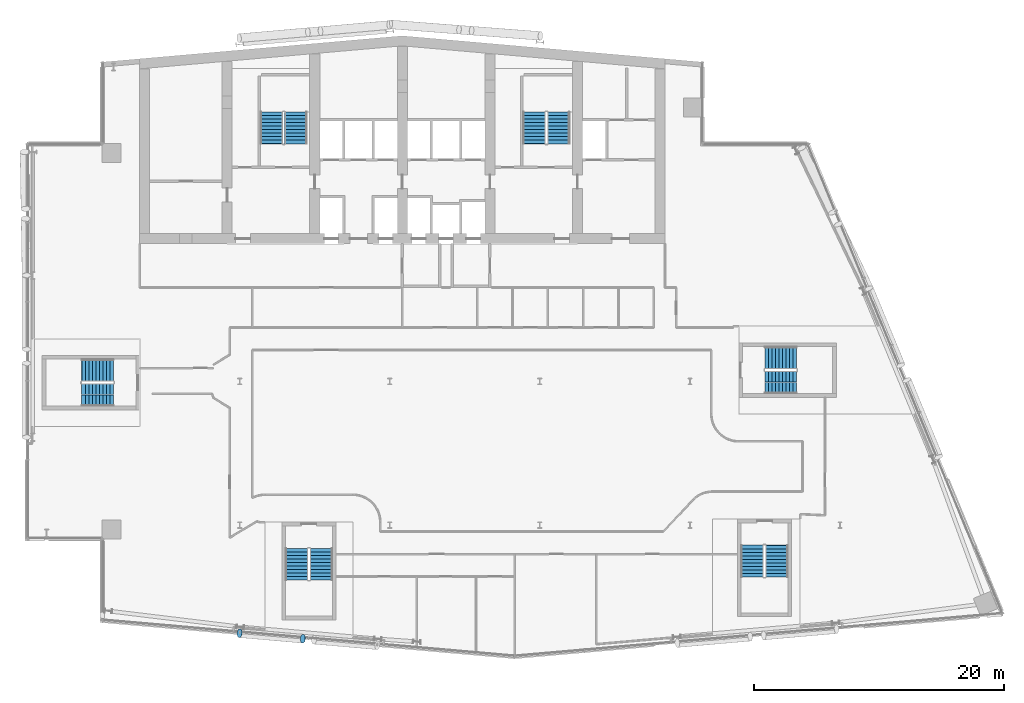
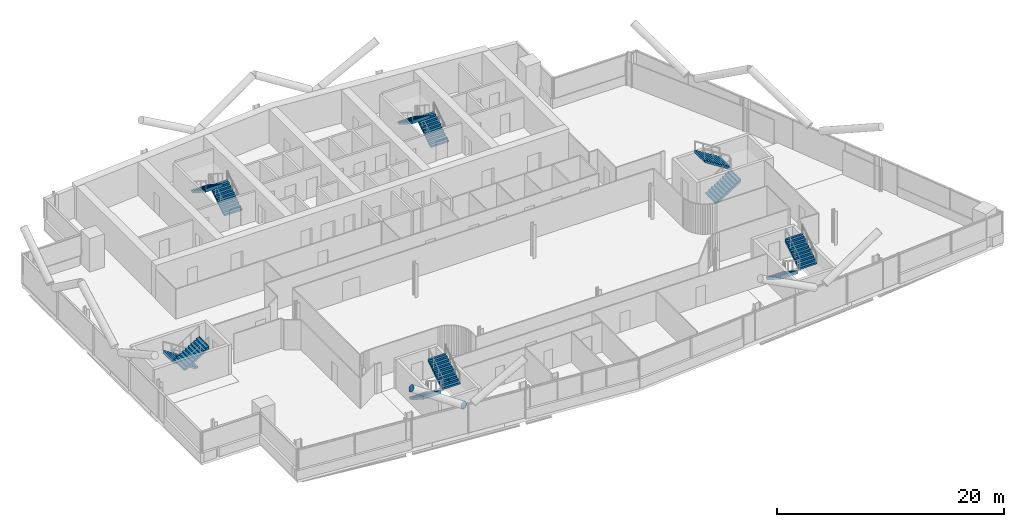
# One storey, part 20 of 27: 12 stair flights, 2 discrete accessories, 6 elements without a shape of their own.
"""IFC4 building model written with IfcOpenShell, lengths in metres."""

from ifc_helpers import new_model, si_unit, direction, frame, origin, origin_2d, place, context, subcontext, project, spatial, polyline, circle, outline, extrude, material, material_profile, profile_set, type_object, element, aggregate, save


model = new_model("IFC4")

# Units and contexts
model_context = context("Model", 3, precision=1e-05, world=origin(), true_north=direction((0.0, 1.0)))
body_context = subcontext(model_context, "Body", "Model", "MODEL_VIEW")
ifc_project = project(units=[si_unit("LENGTHUNIT", "METRE"), si_unit("AREAUNIT", "SQUARE_METRE"), si_unit("VOLUMEUNIT", "CUBIC_METRE"), si_unit("PLANEANGLEUNIT", "RADIAN"), si_unit("MASSUNIT", "GRAM", prefix="KILO")], contexts=[model_context])

# Site, building, storey
site_placement = place(None, origin())
site = spatial("IfcSite", under=ifc_project, at=site_placement, CompositionType="ELEMENT")
building_placement = place(site_placement, origin())
building = spatial("IfcBuilding", under=site, at=building_placement, Name="Wharfspan Tower", CompositionType="ELEMENT")
storey_placement = place(building_placement, frame((0.0, 0.0, 159.100098)))
storey = spatial("IfcBuildingStorey", under=building, at=storey_placement, Name="L38", CompositionType="ELEMENT", Elevation=159.100098)

# Stair, stair flights
ifc_material_1 = material(Name="Concrete C40/50", Category="concrete")
stair_type = type_object("IfcStairType", Name="Half-turn stair 20 risers 180 mm", PredefinedType="HALF_TURN_STAIR", material=ifc_material_1)
stair_1_placement = place(storey_placement, origin())
stair_1 = element("IfcStair", 1, at=stair_1_placement, inside=storey, type_object=stair_type, Name="L38 stair ST1", PredefinedType="HALF_TURN_STAIR")
stair_flight_type = type_object("IfcStairFlightType", Name="Stair flight 20 risers 180 mm", PredefinedType="STRAIGHT", material=ifc_material_1)
stair_flight_1_placement = place(storey_placement, frame((28.5, 42.0, 0.0), z_axis=(0.0, 0.0, 1.0), x_axis=(0.0, 1.0, 0.0)))
stair_flight_1 = element("IfcStairFlight", 2, at=stair_flight_1_placement, type_object=stair_flight_type, Name="ST1 flight 1", NumberOfRisers=10, NumberOfTreads=9, PredefinedType="STRAIGHT", RiserHeight=0.18, TreadLength=0.28, context=body_context, shape_type="SweptSolid", body=[
    extrude(outline(polyline([(-0.011963, 0.0), (-0.011963, 0.179932), (0.0, 0.179932), (0.280029, 0.179932), (0.280029, 0.360107), (0.560059, 0.360107), (0.560059, 0.540039), (0.840088, 0.540039), (0.840088, 0.719971), (1.120117, 0.719971), (1.120117, 0.899902), (1.399902, 0.899902), (1.399902, 1.080078), (1.679932, 1.080078), (1.679932, 1.26001), (1.959961, 1.26001), (1.959961, 1.439941), (2.23999, 1.439941), (2.23999, 1.620117), (2.52002, 1.620117), (2.531982, 1.800049), (2.531982, 1.441895), (0.2771, 0.0), (-0.011963, 0.0)])), frame((0.0, 0.899902, 0.0), z_axis=(0.0, -1.0, 0.0), x_axis=(1.0, 0.0, 0.0)), (0.0, 0.0, 1.0), 0.899414),
    extrude(outline(polyline([(-0.011963, 0.0), (-0.011963, 0.179932), (0.0, 0.179932), (0.280029, 0.179932), (0.280029, 0.360107), (0.560059, 0.360107), (0.560059, 0.540039), (0.840088, 0.540039), (0.840088, 0.719971), (1.120117, 0.719971), (1.120117, 0.899902), (1.399902, 0.899902), (1.399902, 1.080078), (1.679932, 1.080078), (1.679932, 1.26001), (1.959961, 1.26001), (1.959961, 1.439941), (2.23999, 1.439941), (2.23999, 1.620117), (2.52002, 1.620117), (2.531982, 1.800049), (2.531982, 1.441895), (0.2771, 0.0), (-0.011963, 0.0)])), frame((0.0, -0.000488, 0.0), z_axis=(0.0, -1.0, 0.0), x_axis=(1.0, 0.0, 0.0)), (0.0, 0.0, 1.0), 0.899414),
])
stair_flight_2_placement = place(storey_placement, frame((26.550049, 44.52002, 1.799805), z_axis=(0.0, 0.0, 1.0), x_axis=(0.0, -1.0, 0.0)))
stair_flight_2 = element("IfcStairFlight", 3, at=stair_flight_2_placement, type_object=stair_flight_type, Name="ST1 flight 2", NumberOfRisers=10, NumberOfTreads=9, PredefinedType="STRAIGHT", RiserHeight=0.18, TreadLength=0.28, context=body_context, shape_type="SweptSolid", body=[
    extrude(outline(polyline([(-0.011963, 0.0), (-0.011963, 0.179932), (0.0, 0.179932), (0.280029, 0.179932), (0.280029, 0.360107), (0.560059, 0.360107), (0.560059, 0.540039), (0.840088, 0.540039), (0.840088, 0.719971), (1.120117, 0.719971), (1.120117, 0.899902), (1.399902, 0.899902), (1.399902, 1.080078), (1.679932, 1.080078), (1.679932, 1.26001), (1.959961, 1.26001), (1.959961, 1.439941), (2.23999, 1.439941), (2.23999, 1.620117), (2.52002, 1.620117), (2.531982, 1.800049), (2.531982, 1.441895), (0.2771, 0.0), (-0.011963, 0.0)])), frame((0.0, 0.899902, 0.0), z_axis=(0.0, -1.0, 0.0), x_axis=(1.0, 0.0, 0.0)), (0.0, 0.0, 1.0), 0.899414),
    extrude(outline(polyline([(-0.011963, 0.0), (-0.011963, 0.179932), (0.0, 0.179932), (0.280029, 0.179932), (0.280029, 0.360107), (0.560059, 0.360107), (0.560059, 0.540039), (0.840088, 0.540039), (0.840088, 0.719971), (1.120117, 0.719971), (1.120117, 0.899902), (1.399902, 0.899902), (1.399902, 1.080078), (1.679932, 1.080078), (1.679932, 1.26001), (1.959961, 1.26001), (1.959961, 1.439941), (2.23999, 1.439941), (2.23999, 1.620117), (2.52002, 1.620117), (2.531982, 1.800049), (2.531982, 1.441895), (0.2771, 0.0), (-0.011963, 0.0)])), frame((0.0, -0.000488, 0.0), z_axis=(0.0, -1.0, 0.0), x_axis=(1.0, 0.0, 0.0)), (0.0, 0.0, 1.0), 0.899414),
])
aggregate(stair_1, [stair_flight_1, stair_flight_2])

stair_2_placement = place(storey_placement, origin())
stair_2 = element("IfcStair", 4, at=stair_2_placement, inside=storey, type_object=stair_type, Name="L38 stair ST2", PredefinedType="HALF_TURN_STAIR")
stair_flight_3_placement = place(storey_placement, frame((49.5, 42.0, 0.0), z_axis=(0.0, 0.0, 1.0), x_axis=(0.0, 1.0, 0.0)))
stair_flight_3 = element("IfcStairFlight", 5, at=stair_flight_3_placement, type_object=stair_flight_type, Name="ST2 flight 1", NumberOfRisers=10, NumberOfTreads=9, PredefinedType="STRAIGHT", RiserHeight=0.18, TreadLength=0.28, context=body_context, shape_type="SweptSolid", body=[
    extrude(outline(polyline([(-0.011963, 0.0), (-0.011963, 0.179932), (0.0, 0.179932), (0.280029, 0.179932), (0.280029, 0.360107), (0.560059, 0.360107), (0.560059, 0.540039), (0.840088, 0.540039), (0.840088, 0.719971), (1.120117, 0.719971), (1.120117, 0.899902), (1.399902, 0.899902), (1.399902, 1.080078), (1.679932, 1.080078), (1.679932, 1.26001), (1.959961, 1.26001), (1.959961, 1.439941), (2.23999, 1.439941), (2.23999, 1.620117), (2.52002, 1.620117), (2.531982, 1.800049), (2.531982, 1.441895), (0.2771, 0.0), (-0.011963, 0.0)])), frame((0.0, 0.899902, 0.0), z_axis=(0.0, -1.0, 0.0), x_axis=(1.0, 0.0, 0.0)), (0.0, 0.0, 1.0), 0.899414),
    extrude(outline(polyline([(-0.011963, 0.0), (-0.011963, 0.179932), (0.0, 0.179932), (0.280029, 0.179932), (0.280029, 0.360107), (0.560059, 0.360107), (0.560059, 0.540039), (0.840088, 0.540039), (0.840088, 0.719971), (1.120117, 0.719971), (1.120117, 0.899902), (1.399902, 0.899902), (1.399902, 1.080078), (1.679932, 1.080078), (1.679932, 1.26001), (1.959961, 1.26001), (1.959961, 1.439941), (2.23999, 1.439941), (2.23999, 1.620117), (2.52002, 1.620117), (2.531982, 1.800049), (2.531982, 1.441895), (0.2771, 0.0), (-0.011963, 0.0)])), frame((0.0, -0.000488, 0.0), z_axis=(0.0, -1.0, 0.0), x_axis=(1.0, 0.0, 0.0)), (0.0, 0.0, 1.0), 0.899414),
])
stair_flight_4_placement = place(storey_placement, frame((47.550049, 44.52002, 1.799805), z_axis=(0.0, 0.0, 1.0), x_axis=(0.0, -1.0, 0.0)))
stair_flight_4 = element("IfcStairFlight", 6, at=stair_flight_4_placement, type_object=stair_flight_type, Name="ST2 flight 2", NumberOfRisers=10, NumberOfTreads=9, PredefinedType="STRAIGHT", RiserHeight=0.18, TreadLength=0.28, context=body_context, shape_type="SweptSolid", body=[
    extrude(outline(polyline([(-0.011963, 0.0), (-0.011963, 0.179932), (0.0, 0.179932), (0.280029, 0.179932), (0.280029, 0.360107), (0.560059, 0.360107), (0.560059, 0.540039), (0.840088, 0.540039), (0.840088, 0.719971), (1.120117, 0.719971), (1.120117, 0.899902), (1.399902, 0.899902), (1.399902, 1.080078), (1.679932, 1.080078), (1.679932, 1.26001), (1.959961, 1.26001), (1.959961, 1.439941), (2.23999, 1.439941), (2.23999, 1.620117), (2.52002, 1.620117), (2.531982, 1.800049), (2.531982, 1.441895), (0.2771, 0.0), (-0.011963, 0.0)])), frame((0.0, 0.899902, 0.0), z_axis=(0.0, -1.0, 0.0), x_axis=(1.0, 0.0, 0.0)), (0.0, 0.0, 1.0), 0.899414),
    extrude(outline(polyline([(-0.011963, 0.0), (-0.011963, 0.179932), (0.0, 0.179932), (0.280029, 0.179932), (0.280029, 0.360107), (0.560059, 0.360107), (0.560059, 0.540039), (0.840088, 0.540039), (0.840088, 0.719971), (1.120117, 0.719971), (1.120117, 0.899902), (1.399902, 0.899902), (1.399902, 1.080078), (1.679932, 1.080078), (1.679932, 1.26001), (1.959961, 1.26001), (1.959961, 1.439941), (2.23999, 1.439941), (2.23999, 1.620117), (2.52002, 1.620117), (2.531982, 1.800049), (2.531982, 1.441895), (0.2771, 0.0), (-0.011963, 0.0)])), frame((0.0, -0.000488, 0.0), z_axis=(0.0, -1.0, 0.0), x_axis=(1.0, 0.0, 0.0)), (0.0, 0.0, 1.0), 0.899414),
])
aggregate(stair_2, [stair_flight_3, stair_flight_4])

stair_3_placement = place(storey_placement, origin())
stair_3 = element("IfcStair", 7, at=stair_3_placement, inside=storey, type_object=stair_type, Name="L38 stair ST3", PredefinedType="HALF_TURN_STAIR")
stair_flight_5_placement = place(storey_placement, frame((13.899902, 23.875, 0.0), z_axis=(0.0, 0.0, 1.0), x_axis=(-1.0, 0.0, 0.0)))
stair_flight_5 = element("IfcStairFlight", 8, at=stair_flight_5_placement, type_object=stair_flight_type, Name="ST3 flight 1", NumberOfRisers=10, NumberOfTreads=9, PredefinedType="STRAIGHT", RiserHeight=0.18, TreadLength=0.28, context=body_context, shape_type="SweptSolid", body=[
    extrude(outline(polyline([(-0.011963, 0.0), (-0.011963, 0.179932), (0.0, 0.179932), (0.280029, 0.179932), (0.280029, 0.360107), (0.560059, 0.360107), (0.560059, 0.540039), (0.840088, 0.540039), (0.840088, 0.719971), (1.120117, 0.719971), (1.120117, 0.899902), (1.399902, 0.899902), (1.399902, 1.080078), (1.679932, 1.080078), (1.679932, 1.26001), (1.959961, 1.26001), (1.959961, 1.439941), (2.23999, 1.439941), (2.23999, 1.620117), (2.52002, 1.620117), (2.531982, 1.800049), (2.531982, 1.441895), (0.2771, 0.0), (-0.011963, 0.0)])), frame((0.0, 0.899902, 0.0), z_axis=(0.0, -1.0, 0.0), x_axis=(1.0, 0.0, 0.0)), (0.0, 0.0, 1.0), 0.899414),
    extrude(outline(polyline([(-0.011963, 0.0), (-0.011963, 0.179932), (0.0, 0.179932), (0.280029, 0.179932), (0.280029, 0.360107), (0.560059, 0.360107), (0.560059, 0.540039), (0.840088, 0.540039), (0.840088, 0.719971), (1.120117, 0.719971), (1.120117, 0.899902), (1.399902, 0.899902), (1.399902, 1.080078), (1.679932, 1.080078), (1.679932, 1.26001), (1.959961, 1.26001), (1.959961, 1.439941), (2.23999, 1.439941), (2.23999, 1.620117), (2.52002, 1.620117), (2.531982, 1.800049), (2.531982, 1.441895), (0.2771, 0.0), (-0.011963, 0.0)])), frame((0.0, -0.000488, 0.0), z_axis=(0.0, -1.0, 0.0), x_axis=(1.0, 0.0, 0.0)), (0.0, 0.0, 1.0), 0.899414),
])
stair_flight_6_placement = place(storey_placement, frame((11.379883, 21.925049, 1.799805), z_axis=(0.0, 0.0, 1.0), x_axis=(1.0, 0.0, 0.0)))
stair_flight_6 = element("IfcStairFlight", 9, at=stair_flight_6_placement, type_object=stair_flight_type, Name="ST3 flight 2", NumberOfRisers=10, NumberOfTreads=9, PredefinedType="STRAIGHT", RiserHeight=0.18, TreadLength=0.28, context=body_context, shape_type="SweptSolid", body=[
    extrude(outline(polyline([(-0.011963, 0.0), (-0.011963, 0.179932), (0.0, 0.179932), (0.280029, 0.179932), (0.280029, 0.360107), (0.560059, 0.360107), (0.560059, 0.540039), (0.840088, 0.540039), (0.840088, 0.719971), (1.120117, 0.719971), (1.120117, 0.899902), (1.399902, 0.899902), (1.399902, 1.080078), (1.679932, 1.080078), (1.679932, 1.26001), (1.959961, 1.26001), (1.959961, 1.439941), (2.23999, 1.439941), (2.23999, 1.620117), (2.52002, 1.620117), (2.531982, 1.800049), (2.531982, 1.441895), (0.2771, 0.0), (-0.011963, 0.0)])), frame((0.0, 0.899902, 0.0), z_axis=(0.0, -1.0, 0.0), x_axis=(1.0, 0.0, 0.0)), (0.0, 0.0, 1.0), 0.899414),
    extrude(outline(polyline([(-0.011963, 0.0), (-0.011963, 0.179932), (0.0, 0.179932), (0.280029, 0.179932), (0.280029, 0.360107), (0.560059, 0.360107), (0.560059, 0.540039), (0.840088, 0.540039), (0.840088, 0.719971), (1.120117, 0.719971), (1.120117, 0.899902), (1.399902, 0.899902), (1.399902, 1.080078), (1.679932, 1.080078), (1.679932, 1.26001), (1.959961, 1.26001), (1.959961, 1.439941), (2.23999, 1.439941), (2.23999, 1.620117), (2.52002, 1.620117), (2.531982, 1.800049), (2.531982, 1.441895), (0.2771, 0.0), (-0.011963, 0.0)])), frame((0.0, -0.000488, 0.0), z_axis=(0.0, -1.0, 0.0), x_axis=(1.0, 0.0, 0.0)), (0.0, 0.0, 1.0), 0.899414),
])
aggregate(stair_3, [stair_flight_5, stair_flight_6])

stair_4_placement = place(storey_placement, origin())
stair_4 = element("IfcStair", 10, at=stair_4_placement, inside=storey, type_object=stair_type, Name="L38 stair ST4", PredefinedType="HALF_TURN_STAIR")
stair_flight_7_placement = place(storey_placement, frame((28.564209, 9.634277, 0.0), z_axis=(0.0, 0.0, 1.0), x_axis=(0.0, -1.0, 0.0)))
stair_flight_7 = element("IfcStairFlight", 11, at=stair_flight_7_placement, type_object=stair_flight_type, Name="ST4 flight 1", NumberOfRisers=10, NumberOfTreads=9, PredefinedType="STRAIGHT", RiserHeight=0.18, TreadLength=0.28, context=body_context, shape_type="SweptSolid", body=[
    extrude(outline(polyline([(-0.011963, 0.0), (-0.011963, 0.179932), (0.0, 0.179932), (0.280029, 0.179932), (0.280029, 0.360107), (0.560059, 0.360107), (0.560059, 0.540039), (0.840088, 0.540039), (0.840088, 0.719971), (1.120117, 0.719971), (1.120117, 0.899902), (1.399902, 0.899902), (1.399902, 1.080078), (1.679932, 1.080078), (1.679932, 1.26001), (1.959961, 1.26001), (1.959961, 1.439941), (2.23999, 1.439941), (2.23999, 1.620117), (2.52002, 1.620117), (2.531982, 1.800049), (2.531982, 1.441895), (0.2771, 0.0), (-0.011963, 0.0)])), frame((0.0, 0.899902, 0.0), z_axis=(0.0, -1.0, 0.0), x_axis=(1.0, 0.0, 0.0)), (0.0, 0.0, 1.0), 0.899414),
    extrude(outline(polyline([(-0.011963, 0.0), (-0.011963, 0.179932), (0.0, 0.179932), (0.280029, 0.179932), (0.280029, 0.360107), (0.560059, 0.360107), (0.560059, 0.540039), (0.840088, 0.540039), (0.840088, 0.719971), (1.120117, 0.719971), (1.120117, 0.899902), (1.399902, 0.899902), (1.399902, 1.080078), (1.679932, 1.080078), (1.679932, 1.26001), (1.959961, 1.26001), (1.959961, 1.439941), (2.23999, 1.439941), (2.23999, 1.620117), (2.52002, 1.620117), (2.531982, 1.800049), (2.531982, 1.441895), (0.2771, 0.0), (-0.011963, 0.0)])), frame((0.0, -0.000488, 0.0), z_axis=(0.0, -1.0, 0.0), x_axis=(1.0, 0.0, 0.0)), (0.0, 0.0, 1.0), 0.899414),
])
stair_flight_8_placement = place(storey_placement, frame((30.51416, 7.114258, 1.799805), z_axis=(0.0, 0.0, 1.0), x_axis=(0.0, 1.0, 0.0)))
stair_flight_8 = element("IfcStairFlight", 12, at=stair_flight_8_placement, type_object=stair_flight_type, Name="ST4 flight 2", NumberOfRisers=10, NumberOfTreads=9, PredefinedType="STRAIGHT", RiserHeight=0.18, TreadLength=0.28, context=body_context, shape_type="SweptSolid", body=[
    extrude(outline(polyline([(-0.011963, 0.0), (-0.011963, 0.179932), (0.0, 0.179932), (0.280029, 0.179932), (0.280029, 0.360107), (0.560059, 0.360107), (0.560059, 0.540039), (0.840088, 0.540039), (0.840088, 0.719971), (1.120117, 0.719971), (1.120117, 0.899902), (1.399902, 0.899902), (1.399902, 1.080078), (1.679932, 1.080078), (1.679932, 1.26001), (1.959961, 1.26001), (1.959961, 1.439941), (2.23999, 1.439941), (2.23999, 1.620117), (2.52002, 1.620117), (2.531982, 1.800049), (2.531982, 1.441895), (0.2771, 0.0), (-0.011963, 0.0)])), frame((0.0, 0.899902, 0.0), z_axis=(0.0, -1.0, 0.0), x_axis=(1.0, 0.0, 0.0)), (0.0, 0.0, 1.0), 0.899414),
    extrude(outline(polyline([(-0.011963, 0.0), (-0.011963, 0.179932), (0.0, 0.179932), (0.280029, 0.179932), (0.280029, 0.360107), (0.560059, 0.360107), (0.560059, 0.540039), (0.840088, 0.540039), (0.840088, 0.719971), (1.120117, 0.719971), (1.120117, 0.899902), (1.399902, 0.899902), (1.399902, 1.080078), (1.679932, 1.080078), (1.679932, 1.26001), (1.959961, 1.26001), (1.959961, 1.439941), (2.23999, 1.439941), (2.23999, 1.620117), (2.52002, 1.620117), (2.531982, 1.800049), (2.531982, 1.441895), (0.2771, 0.0), (-0.011963, 0.0)])), frame((0.0, -0.000488, 0.0), z_axis=(0.0, -1.0, 0.0), x_axis=(1.0, 0.0, 0.0)), (0.0, 0.0, 1.0), 0.899414),
])
aggregate(stair_4, [stair_flight_7, stair_flight_8])

stair_5_placement = place(storey_placement, origin())
stair_5 = element("IfcStair", 13, at=stair_5_placement, inside=storey, type_object=stair_type, Name="L38 stair ST5", PredefinedType="HALF_TURN_STAIR")
stair_flight_9_placement = place(storey_placement, frame((64.986328, 9.883789, 0.0), z_axis=(0.0, 0.0, 1.0), x_axis=(0.0, -1.0, 0.0)))
stair_flight_9 = element("IfcStairFlight", 14, at=stair_flight_9_placement, type_object=stair_flight_type, Name="ST5 flight 1", NumberOfRisers=10, NumberOfTreads=9, PredefinedType="STRAIGHT", RiserHeight=0.18, TreadLength=0.28, context=body_context, shape_type="SweptSolid", body=[
    extrude(outline(polyline([(-0.011963, 0.0), (-0.011963, 0.179932), (0.0, 0.179932), (0.280029, 0.179932), (0.280029, 0.360107), (0.560059, 0.360107), (0.560059, 0.540039), (0.840088, 0.540039), (0.840088, 0.719971), (1.120117, 0.719971), (1.120117, 0.899902), (1.399902, 0.899902), (1.399902, 1.080078), (1.679932, 1.080078), (1.679932, 1.26001), (1.959961, 1.26001), (1.959961, 1.439941), (2.23999, 1.439941), (2.23999, 1.620117), (2.52002, 1.620117), (2.531982, 1.800049), (2.531982, 1.441895), (0.2771, 0.0), (-0.011963, 0.0)])), frame((0.0, 0.899902, 0.0), z_axis=(0.0, -1.0, 0.0), x_axis=(1.0, 0.0, 0.0)), (0.0, 0.0, 1.0), 0.899414),
    extrude(outline(polyline([(-0.011963, 0.0), (-0.011963, 0.179932), (0.0, 0.179932), (0.280029, 0.179932), (0.280029, 0.360107), (0.560059, 0.360107), (0.560059, 0.540039), (0.840088, 0.540039), (0.840088, 0.719971), (1.120117, 0.719971), (1.120117, 0.899902), (1.399902, 0.899902), (1.399902, 1.080078), (1.679932, 1.080078), (1.679932, 1.26001), (1.959961, 1.26001), (1.959961, 1.439941), (2.23999, 1.439941), (2.23999, 1.620117), (2.52002, 1.620117), (2.531982, 1.800049), (2.531982, 1.441895), (0.2771, 0.0), (-0.011963, 0.0)])), frame((0.0, -0.000488, 0.0), z_axis=(0.0, -1.0, 0.0), x_axis=(1.0, 0.0, 0.0)), (0.0, 0.0, 1.0), 0.899414),
])
stair_flight_10_placement = place(storey_placement, frame((66.936279, 7.36377, 1.799805), z_axis=(0.0, 0.0, 1.0), x_axis=(0.0, 1.0, 0.0)))
stair_flight_10 = element("IfcStairFlight", 15, at=stair_flight_10_placement, type_object=stair_flight_type, Name="ST5 flight 2", NumberOfRisers=10, NumberOfTreads=9, PredefinedType="STRAIGHT", RiserHeight=0.18, TreadLength=0.28, context=body_context, shape_type="SweptSolid", body=[
    extrude(outline(polyline([(-0.011963, 0.0), (-0.011963, 0.179932), (0.0, 0.179932), (0.280029, 0.179932), (0.280029, 0.360107), (0.560059, 0.360107), (0.560059, 0.540039), (0.840088, 0.540039), (0.840088, 0.719971), (1.120117, 0.719971), (1.120117, 0.899902), (1.399902, 0.899902), (1.399902, 1.080078), (1.679932, 1.080078), (1.679932, 1.26001), (1.959961, 1.26001), (1.959961, 1.439941), (2.23999, 1.439941), (2.23999, 1.620117), (2.52002, 1.620117), (2.531982, 1.800049), (2.531982, 1.441895), (0.2771, 0.0), (-0.011963, 0.0)])), frame((0.0, 0.899902, 0.0), z_axis=(0.0, -1.0, 0.0), x_axis=(1.0, 0.0, 0.0)), (0.0, 0.0, 1.0), 0.899414),
    extrude(outline(polyline([(-0.011963, 0.0), (-0.011963, 0.179932), (0.0, 0.179932), (0.280029, 0.179932), (0.280029, 0.360107), (0.560059, 0.360107), (0.560059, 0.540039), (0.840088, 0.540039), (0.840088, 0.719971), (1.120117, 0.719971), (1.120117, 0.899902), (1.399902, 0.899902), (1.399902, 1.080078), (1.679932, 1.080078), (1.679932, 1.26001), (1.959961, 1.26001), (1.959961, 1.439941), (2.23999, 1.439941), (2.23999, 1.620117), (2.52002, 1.620117), (2.531982, 1.800049), (2.531982, 1.441895), (0.2771, 0.0), (-0.011963, 0.0)])), frame((0.0, -0.000488, 0.0), z_axis=(0.0, -1.0, 0.0), x_axis=(1.0, 0.0, 0.0)), (0.0, 0.0, 1.0), 0.899414),
])
aggregate(stair_5, [stair_flight_9, stair_flight_10])

stair_6_placement = place(storey_placement, origin())
stair_6 = element("IfcStair", 16, at=stair_6_placement, inside=storey, type_object=stair_type, Name="L38 stair ST6", PredefinedType="HALF_TURN_STAIR")
stair_flight_11_placement = place(storey_placement, frame((66.004639, 22.925049, 0.0), z_axis=(0.0, 0.0, 1.0), x_axis=(1.0, 0.0, 0.0)))
stair_flight_11 = element("IfcStairFlight", 17, at=stair_flight_11_placement, type_object=stair_flight_type, Name="ST6 flight 1", NumberOfRisers=10, NumberOfTreads=9, PredefinedType="STRAIGHT", RiserHeight=0.18, TreadLength=0.28, context=body_context, shape_type="SweptSolid", body=[
    extrude(outline(polyline([(-0.011963, 0.0), (-0.011963, 0.179932), (0.0, 0.179932), (0.280029, 0.179932), (0.280029, 0.360107), (0.560059, 0.360107), (0.560059, 0.540039), (0.840088, 0.540039), (0.840088, 0.719971), (1.120117, 0.719971), (1.120117, 0.899902), (1.399902, 0.899902), (1.399902, 1.080078), (1.679932, 1.080078), (1.679932, 1.26001), (1.959961, 1.26001), (1.959961, 1.439941), (2.23999, 1.439941), (2.23999, 1.620117), (2.52002, 1.620117), (2.531982, 1.800049), (2.531982, 1.441895), (0.2771, 0.0), (-0.011963, 0.0)])), frame((0.0, 0.899902, 0.0), z_axis=(0.0, -1.0, 0.0), x_axis=(1.0, 0.0, 0.0)), (0.0, 0.0, 1.0), 0.899414),
    extrude(outline(polyline([(-0.011963, 0.0), (-0.011963, 0.179932), (0.0, 0.179932), (0.280029, 0.179932), (0.280029, 0.360107), (0.560059, 0.360107), (0.560059, 0.540039), (0.840088, 0.540039), (0.840088, 0.719971), (1.120117, 0.719971), (1.120117, 0.899902), (1.399902, 0.899902), (1.399902, 1.080078), (1.679932, 1.080078), (1.679932, 1.26001), (1.959961, 1.26001), (1.959961, 1.439941), (2.23999, 1.439941), (2.23999, 1.620117), (2.52002, 1.620117), (2.531982, 1.800049), (2.531982, 1.441895), (0.2771, 0.0), (-0.011963, 0.0)])), frame((0.0, -0.000488, 0.0), z_axis=(0.0, -1.0, 0.0), x_axis=(1.0, 0.0, 0.0)), (0.0, 0.0, 1.0), 0.899414),
])
stair_flight_12_placement = place(storey_placement, frame((68.524658, 24.875, 1.799805), z_axis=(0.0, 0.0, 1.0), x_axis=(-1.0, 0.0, 0.0)))
stair_flight_12 = element("IfcStairFlight", 18, at=stair_flight_12_placement, type_object=stair_flight_type, Name="ST6 flight 2", NumberOfRisers=10, NumberOfTreads=9, PredefinedType="STRAIGHT", RiserHeight=0.18, TreadLength=0.28, context=body_context, shape_type="SweptSolid", body=[
    extrude(outline(polyline([(-0.011963, 0.0), (-0.011963, 0.179932), (0.0, 0.179932), (0.280029, 0.179932), (0.280029, 0.360107), (0.560059, 0.360107), (0.560059, 0.540039), (0.840088, 0.540039), (0.840088, 0.719971), (1.120117, 0.719971), (1.120117, 0.899902), (1.399902, 0.899902), (1.399902, 1.080078), (1.679932, 1.080078), (1.679932, 1.26001), (1.959961, 1.26001), (1.959961, 1.439941), (2.23999, 1.439941), (2.23999, 1.620117), (2.52002, 1.620117), (2.531982, 1.800049), (2.531982, 1.441895), (0.2771, 0.0), (-0.011963, 0.0)])), frame((0.0, 0.899902, 0.0), z_axis=(0.0, -1.0, 0.0), x_axis=(1.0, 0.0, 0.0)), (0.0, 0.0, 1.0), 0.899414),
    extrude(outline(polyline([(-0.011963, 0.0), (-0.011963, 0.179932), (0.0, 0.179932), (0.280029, 0.179932), (0.280029, 0.360107), (0.560059, 0.360107), (0.560059, 0.540039), (0.840088, 0.540039), (0.840088, 0.719971), (1.120117, 0.719971), (1.120117, 0.899902), (1.399902, 0.899902), (1.399902, 1.080078), (1.679932, 1.080078), (1.679932, 1.26001), (1.959961, 1.26001), (1.959961, 1.439941), (2.23999, 1.439941), (2.23999, 1.620117), (2.52002, 1.620117), (2.531982, 1.800049), (2.531982, 1.441895), (0.2771, 0.0), (-0.011963, 0.0)])), frame((0.0, -0.000488, 0.0), z_axis=(0.0, -1.0, 0.0), x_axis=(1.0, 0.0, 0.0)), (0.0, 0.0, 1.0), 0.899414),
])
aggregate(stair_6, [stair_flight_11, stair_flight_12])

# Discrete accessories
ifc_material_2 = material(Name="Steel S460NH", Category="steel")
ifc_material_profile = material_profile(ifc_material_2, circle(Radius=0.355469, at=origin_2d()))
ifc_profile_set = profile_set([ifc_material_profile], Name="Steel S460NH")
discrete_accessory_type = type_object("IfcDiscreteAccessoryType", Name="End plate CHS 711x36", PredefinedType="BRACKET", material=ifc_profile_set)
discrete_accessory_1_placement = place(storey_placement, frame((29.051758, 2.415527, 3.190186), z_axis=(-0.83357, 0.071449, 0.547774), x_axis=(-0.085401, -0.996343, 0.0)))
element("IfcDiscreteAccessory", 19, at=discrete_accessory_1_placement, inside=storey, type_object=discrete_accessory_type, Name="End plate CHS 711x36", PredefinedType="BRACKET", context=body_context, shape_type="SweptSolid", body=[
    extrude(circle(Radius=0.355469, at=origin_2d()), origin(), (0.0, 0.0, 1.0), 0.010254),
])
discrete_accessory_2_placement = place(storey_placement, frame((23.995117, 2.85791, 6.5), z_axis=(-0.837276, 0.073877, 0.541767), x_axis=(-0.087893, -0.996132, 1e-06)))
element("IfcDiscreteAccessory", 20, at=discrete_accessory_2_placement, inside=storey, type_object=discrete_accessory_type, Name="End plate CHS 711x36", PredefinedType="BRACKET", context=body_context, shape_type="SweptSolid", body=[
    extrude(circle(Radius=0.355469, at=origin_2d()), origin(), (0.0, 0.0, 1.0), 0.01001),
])

save(model, "model.ifc")
